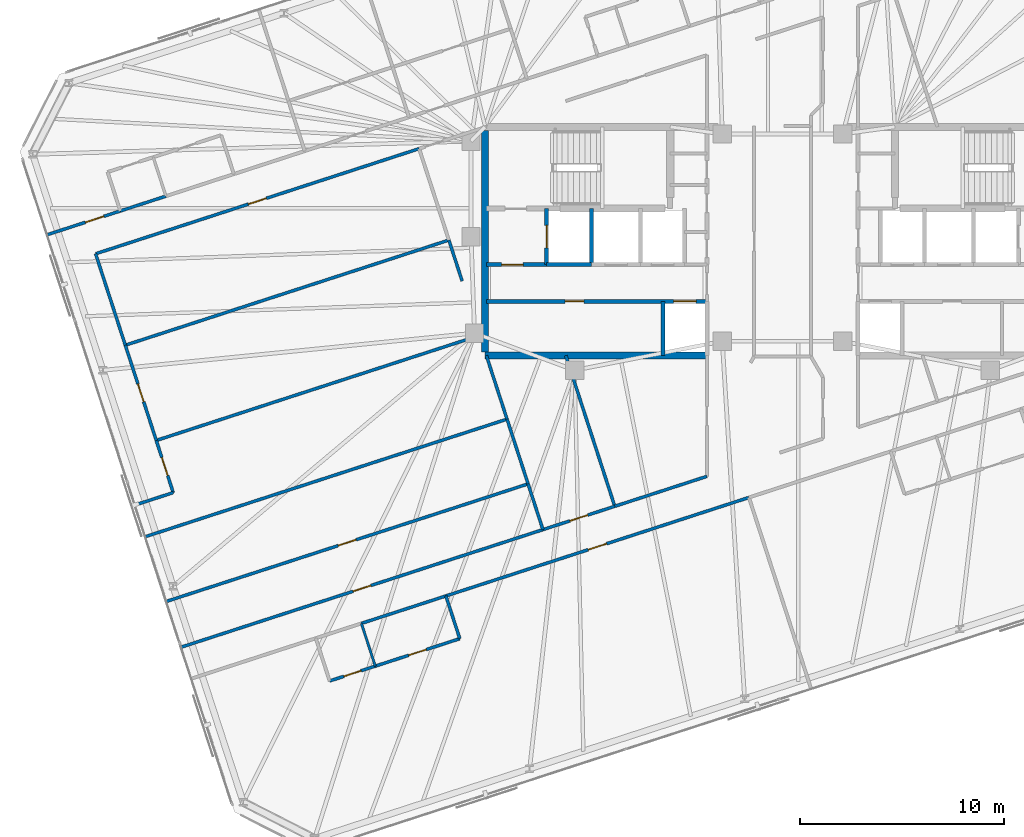
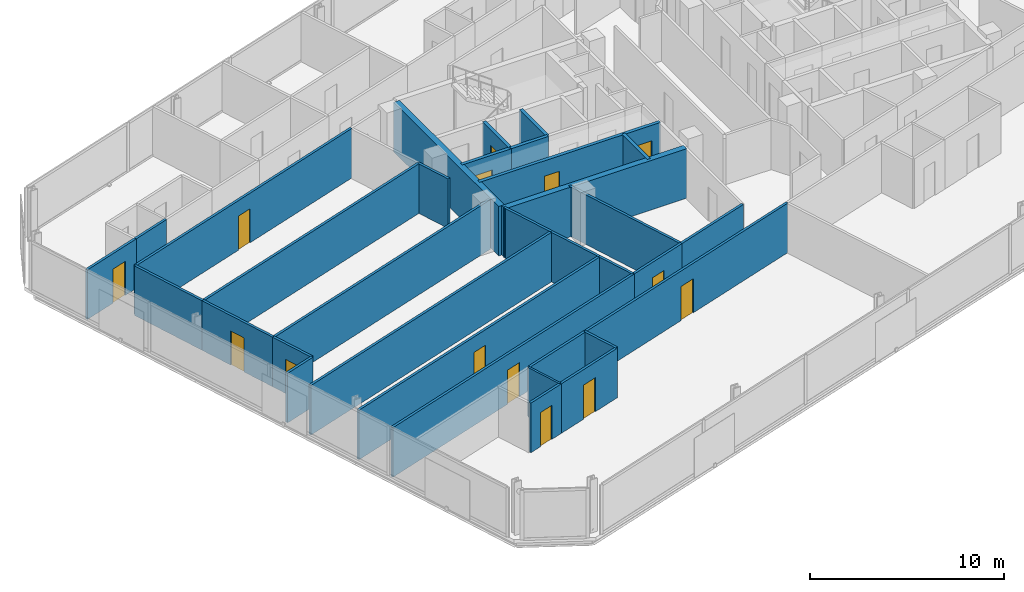
# One storey, part 13 of 19: 33 walls, 14 doors, 14 openings.
"""IFC4 building model written with IfcOpenShell, lengths in metres."""

import ifcopenshell
import ifcopenshell.guid

model = None  # the IFC model being written
_history = None  # IfcOwnerHistory: only IFC2X3 demands one
_inside = {}  # id of a spatial element -> (the spatial element, [elements in it])
_under = {}  # id of a project, library or spatial element -> (it, [spatial elements below it])
_declared = {}  # id of a project -> (the project, [libraries it declares])
_typed = {}  # id of a type object -> (the type object, [elements of that type])
_made_of = {}  # id of a material, layer set ... -> (it, [elements and type objects made of it])


def new_model(schema):
    """Start an empty IFC model of exactly this schema.

    Asked for "IFC4X3", IfcOpenShell would pick the latest addendum, in which some entities
    have other attributes; the version numbers below select the first issue.
    IFC2X3 requires an IfcOwnerHistory on every rooted entity: one is made here for all.
    """
    global model, _history
    if schema == "IFC4X3":
        model = ifcopenshell.file(schema_version=(4, 3, 0, 0))
    else:
        model = ifcopenshell.file(schema=schema)
    _inside.clear()
    _under.clear()
    _declared.clear()
    _typed.clear()
    _made_of.clear()
    _history = None
    if model.schema == "IFC2X3":
        org = make("IfcOrganization", Name="unknown")
        user = make(
            "IfcPersonAndOrganization",
            ThePerson=make("IfcPerson", FamilyName="unknown"),
            TheOrganization=org,
        )
        app = make(
            "IfcApplication",
            ApplicationDeveloper=org,
            Version="unknown",
            ApplicationFullName="unknown",
            ApplicationIdentifier="unknown",
        )
        _history = make(
            "IfcOwnerHistory",
            OwningUser=user,
            OwningApplication=app,
            ChangeAction="ADDED",
            CreationDate=0,
        )
    return model


def make(cls, **values):
    """One entity of the class cls with the attributes given. An attribute that is None is left unset."""
    return model.create_entity(
        cls, **{name: value for name, value in values.items() if value is not None}
    )


def rooted(cls, **values):
    """An entity with a GlobalId (a new one), such as an element, a storey or a relation."""
    return make(cls, GlobalId=ifcopenshell.guid.new(), OwnerHistory=_history, **values)


def si_unit(unit_type, name, prefix=None):
    """IfcSIUnit, for example si_unit("LENGTHUNIT", "METRE", prefix="MILLI")."""
    return make("IfcSIUnit", UnitType=unit_type, Prefix=prefix, Name=name)


def assignment(units):
    """IfcUnitAssignment: the units of a project."""
    return None if units is None else make("IfcUnitAssignment", Units=units)


def point(xyz):
    """IfcCartesianPoint."""
    return None if xyz is None else make("IfcCartesianPoint", Coordinates=xyz)


def direction(xyz):
    """IfcDirection."""
    return None if xyz is None else make("IfcDirection", DirectionRatios=xyz)


def frame(location, z_axis=None, x_axis=None):
    """IfcAxis2Placement3D, a coordinate frame: its origin and axes. An axis left out is left unset."""
    return make(
        "IfcAxis2Placement3D",
        Location=point(location),
        Axis=direction(z_axis),
        RefDirection=direction(x_axis),
    )


def frame_2d(location, x_axis=None):
    """IfcAxis2Placement2D, a coordinate frame in the plane: its origin and x axis."""
    return make(
        "IfcAxis2Placement2D", Location=point(location), RefDirection=direction(x_axis)
    )


def origin():
    """The frame at (0, 0, 0) with its axes left unset."""
    return frame((0.0, 0.0, 0.0))


def place(relative_to, where):
    """IfcLocalPlacement: puts the frame where relative to a parent placement (None: the world)."""
    return make(
        "IfcLocalPlacement", PlacementRelTo=relative_to, RelativePlacement=where
    )


def context(
    kind, dimensions, precision=None, world=None, true_north=None, identifier=None
):
    """IfcGeometricRepresentationContext, for example the 3D "Model" context."""
    return make(
        "IfcGeometricRepresentationContext",
        ContextIdentifier=identifier,
        ContextType=kind,
        CoordinateSpaceDimension=dimensions,
        Precision=precision,
        WorldCoordinateSystem=world,
        TrueNorth=true_north,
    )


def subcontext(parent, identifier, kind, view, scale=None):
    """IfcGeometricRepresentationSubContext, for example "Body" below "Model"."""
    return make(
        "IfcGeometricRepresentationSubContext",
        ContextIdentifier=identifier,
        ContextType=kind,
        ParentContext=parent,
        TargetScale=scale,
        TargetView=view,
    )


def project(units=None, contexts=None):
    """IfcProject with its units and contexts."""
    return rooted(
        "IfcProject",
        Name="project",
        RepresentationContexts=contexts,
        UnitsInContext=assignment(units),
    )


def spatial(cls, under=None, at=None, **own):
    """A site, building, storey or space (cls), placed at a placement, below another one or the project."""
    s = rooted(cls, ObjectPlacement=at, **own)
    if under is not None:
        _under.setdefault(under.id(), (under, []))[1].append(s)
    return s


def profile(cls, at=None, kind="AREA", **sizes):
    """A parametric profile (cls). Its sizes go by their IFC names, for example OverallWidth=200.0."""
    return make(cls, ProfileType=kind, Position=at, **sizes)


def rectangle(**sizes):
    """IfcRectangleProfileDef."""
    return profile("IfcRectangleProfileDef", **sizes)


def extrude(swept, where, along, depth):
    """IfcExtrudedAreaSolid: the profile swept, set in the frame where, extruded along a direction by depth."""
    return make(
        "IfcExtrudedAreaSolid",
        SweptArea=swept,
        Position=where,
        ExtrudedDirection=direction(along),
        Depth=depth,
    )


def shape(context_of_items, identifier, shape_type, items):
    """IfcShapeRepresentation: the items that make up one representation, for example the "Body"."""
    return make(
        "IfcShapeRepresentation",
        ContextOfItems=context_of_items,
        RepresentationIdentifier=identifier,
        RepresentationType=shape_type,
        Items=items,
    )


def material(Name=None, Category=None):
    """IfcMaterial."""
    return make("IfcMaterial", Name=Name, Category=Category)


def layer(
    of_material, thickness, ventilated=None, Name=None, Category=None, Priority=None
):
    """IfcMaterialLayer: one layer of a wall or slab, of a material (None: an air gap)."""
    return make(
        "IfcMaterialLayer",
        Material=of_material,
        LayerThickness=thickness,
        IsVentilated=ventilated,
        Name=Name,
        Category=Category,
        Priority=Priority,
    )


def layer_set(layers, Name=None):
    """IfcMaterialLayerSet."""
    return make("IfcMaterialLayerSet", MaterialLayers=layers, LayerSetName=Name)


def made_of(thing, what):
    """Note that an element or type object is made of a material, layer set ...; save() writes the relation."""
    if what is not None:
        _made_of.setdefault(what.id(), (what, []))[1].append(thing)
    return thing


def type_object(cls, material=None, **own):
    """A type object (cls), such as IfcWallType, which elements share."""
    return made_of(rooted(cls, **own), material)


def element(
    cls,
    number,
    at=None,
    inside=None,
    cuts=None,
    type_object=None,
    material=None,
    context=None,
    identifier="Body",
    shape_type=None,
    held_by="IfcProductDefinitionShape",
    body=None,
    shapes=None,
    **own,
):
    """One element of the class cls, such as IfcWall. Its Tag is "e" and its number.

    at: its placement. inside: the storey or other place that contains it. cuts: it is an
    opening in that element (IfcRelVoidsElement). A single representation is given by context,
    identifier, shape_type and body (its items); several are given by shapes. held_by: the class
    of the entity that holds the representations. save() writes the other relations.
    """
    e = rooted(cls, Tag="e%d" % number, ObjectPlacement=at, **own)
    if body is not None:
        shapes = [shape(context, identifier, shape_type, body)]
    if shapes is not None:
        e.Representation = make(held_by, Representations=shapes)
    if inside is not None:
        _inside.setdefault(inside.id(), (inside, []))[1].append(e)
    if cuts is not None:
        rooted(
            "IfcRelVoidsElement", RelatingBuildingElement=cuts, RelatedOpeningElement=e
        )
    if type_object is not None:
        _typed.setdefault(type_object.id(), (type_object, []))[1].append(e)
    return made_of(e, material)


def fill(opening, filler):
    """IfcRelFillsElement: the door or window that sits in an opening."""
    return rooted(
        "IfcRelFillsElement",
        RelatingOpeningElement=opening,
        RelatedBuildingElement=filler,
    )


def aggregate(whole, parts):
    """IfcRelAggregates: a whole, such as a stair, and the parts it consists of."""
    return rooted("IfcRelAggregates", RelatingObject=whole, RelatedObjects=parts)


def save(model, path):
    """Write the relations noted so far, then the file.

    IfcRelAggregates (storeys below a building ...), IfcRelContainedInSpatialStructure (elements
    in a storey), IfcRelDefinesByType, IfcRelAssociatesMaterial and IfcRelDeclares: one each for
    every whole, place, type object, material and project.
    """
    for whole, parts in _under.values():
        aggregate(whole, parts)
    for where, things in _inside.values():
        rooted(
            "IfcRelContainedInSpatialStructure",
            RelatedElements=things,
            RelatingStructure=where,
        )
    for kind, things in _typed.values():
        rooted("IfcRelDefinesByType", RelatedObjects=things, RelatingType=kind)
    for what, things in _made_of.values():
        rooted("IfcRelAssociatesMaterial", RelatedObjects=things, RelatingMaterial=what)
    for by, libraries in _declared.values():
        rooted("IfcRelDeclares", RelatingContext=by, RelatedDefinitions=libraries)
    model.write(path)


model = new_model("IFC4")

# Units and contexts
model_context = context("Model", 3, precision=1e-05, world=origin(), true_north=direction((0.0, 1.0)))
body_context = subcontext(model_context, "Body", "Model", "MODEL_VIEW")
ifc_project = project(units=[si_unit("LENGTHUNIT", "METRE"), si_unit("AREAUNIT", "SQUARE_METRE"), si_unit("VOLUMEUNIT", "CUBIC_METRE"), si_unit("PLANEANGLEUNIT", "RADIAN"), si_unit("MASSUNIT", "GRAM", prefix="KILO")], contexts=[model_context])

# Site, building, storey
site_placement = place(None, origin())
site = spatial("IfcSite", under=ifc_project, at=site_placement, CompositionType="ELEMENT")
building_placement = place(site_placement, origin())
building = spatial("IfcBuilding", under=site, at=building_placement, Name="Menara Jurai Vektor", CompositionType="ELEMENT")
storey_placement = place(building_placement, frame((0.0, 0.0, 210.89990234375)))
storey = spatial("IfcBuildingStorey", under=building, at=storey_placement, Name="L55", CompositionType="ELEMENT", Elevation=210.89990234375)

# Wall, opening, door
ifc_material_1 = material(Name="Concrete C40/50", Category="concrete")
ifc_layer_1 = layer(ifc_material_1, 0.25)
ifc_layer_set_1 = layer_set([ifc_layer_1], Name="Concrete C40/50")
wall_type_1 = type_object("IfcWallType", Name="INT-WALL-CORE-250", PredefinedType="STANDARD", material=ifc_layer_set_1)
wall_1_placement = place(storey_placement, frame((-11.550048828125, -1.14990234375, 0.0), z_axis=(0.0, 0.0, 1.0), x_axis=(0.0, 1.0, 0.0)))
wall_1 = element("IfcWall", 1, at=wall_1_placement, inside=storey, type_object=wall_type_1, Name="Interior Wall IW-250 L55", PredefinedType="STANDARD", context=body_context, shape_type="SweptSolid", body=[
    extrude(rectangle(XDim=2.75, YDim=0.199951171875, at=frame_2d((1.375, 0.0))), origin(), (0.0, 0.0, 1.0), 3.125),
])
opening_1_placement = place(wall_1_placement, frame((0.824951171875, 0.0, 0.0)))
opening_1 = element("IfcOpeningElement", 2, at=opening_1_placement, cuts=wall_1, Name="Opening LD-L55-FL1", PredefinedType="OPENING", context=body_context, shape_type="SweptSolid", body=[
    extrude(rectangle(XDim=1.10009765625, YDim=2.14990234375, at=frame_2d((0.550048828125, 1.074951171875))), frame((0.0, 0.10986328125, 0.0), z_axis=(0.0, -1.0, 0.0), x_axis=(1.0, 0.0, 0.0)), (0.0, 0.0, 1.0), 0.219970703125),
])
ifc_material_2 = material(Name="Stainless Steel Sliding Lift Landing Door", Category="steel")
door_type_1 = type_object("IfcDoorType", Name="DR-LIFT-FIRE-1100", OperationType="NOTDEFINED", PredefinedType="DOOR", material=ifc_material_2)
door_1_placement = place(opening_1_placement, origin())
door_1 = element("IfcDoor", 3, at=door_1_placement, inside=storey, type_object=door_type_1, Name="Lift Landing Door FL1 L55", OperationType="SLIDING_TO_RIGHT", OverallHeight=2.14990234375, OverallWidth=1.10009765625, PredefinedType="DOOR", context=body_context, shape_type="SweptSolid", body=[
    extrude(rectangle(XDim=1.10009765625, YDim=2.14990234375, at=frame_2d((0.550048828125, 1.074951171875))), frame((0.0, 0.02490234375, 0.0), z_axis=(0.0, -1.0, 0.0), x_axis=(1.0, 0.0, 0.0)), (0.0, 0.0, 1.0), 0.050048828125),
])
fill(opening_1, door_1)

# Wall
wall_2_placement = place(storey_placement, frame((-9.35009765625, -1.14990234375, 0.0), z_axis=(0.0, 0.0, 1.0), x_axis=(0.0, 1.0, 0.0)))
element("IfcWall", 4, at=wall_2_placement, inside=storey, type_object=wall_type_1, Name="Interior Wall IW-250 L55", PredefinedType="STANDARD", context=body_context, shape_type="SweptSolid", body=[
    extrude(rectangle(XDim=2.75, YDim=0.199951171875, at=frame_2d((1.375, 0.0))), origin(), (0.0, 0.0, 1.0), 3.125),
])

# Wall, opening, door
wall_3_placement = place(storey_placement, frame((-14.5, -1.14990234375, 0.0), z_axis=(0.0, 0.0, 1.0), x_axis=(1.0, 0.0, 0.0)))
wall_3 = element("IfcWall", 5, at=wall_3_placement, inside=storey, type_object=wall_type_1, Name="Interior Wall IW-250 L55", PredefinedType="STANDARD", context=body_context, shape_type="SweptSolid", body=[
    extrude(rectangle(XDim=2.949951171875, YDim=0.199951171875, at=frame_2d((1.47509765625, 0.0))), origin(), (0.0, 0.0, 1.0), 3.125),
])
opening_2_placement = place(wall_3_placement, frame((0.75, 0.0, 0.0)))
opening_2 = element("IfcOpeningElement", 6, at=opening_2_placement, cuts=wall_3, Name="Opening D-L55-FFW", PredefinedType="OPENING", context=body_context, shape_type="SweptSolid", body=[
    extrude(rectangle(XDim=1.050048828125, YDim=2.179931640625, at=frame_2d((0.52490234375, 1.08984375))), frame((0.0, 0.10986328125, 0.0), z_axis=(0.0, -1.0, 0.0), x_axis=(1.0, 0.0, 0.0)), (0.0, 0.0, 1.0), 0.219970703125),
])
ifc_material_3 = material(Name="Fire-Rated Timber Door", Category="wood")
door_type_2 = type_object("IfcDoorType", Name="DR-LOBBY-1050", OperationType="NOTDEFINED", PredefinedType="DOOR", material=ifc_material_3)
door_2_placement = place(opening_2_placement, origin())
door_2 = element("IfcDoor", 7, at=door_2_placement, inside=storey, type_object=door_type_2, Name="Fire Lift Lobby Door W L55", OperationType="SINGLE_SWING_RIGHT", OverallHeight=2.179931640625, OverallWidth=1.050048828125, PredefinedType="DOOR", context=body_context, shape_type="SweptSolid", body=[
    extrude(rectangle(XDim=1.050048828125, YDim=2.179931640625, at=frame_2d((0.52490234375, 1.08984375))), frame((0.0, 0.02490234375, 0.0), z_axis=(0.0, -1.0, 0.0), x_axis=(1.0, 0.0, 0.0)), (0.0, 0.0, 1.0), 0.050048828125),
])
fill(opening_2, door_2)

# Wall
wall_4_placement = place(storey_placement, frame((-11.550048828125, -1.14990234375, 0.0), z_axis=(0.0, 0.0, 1.0), x_axis=(1.0, 0.0, 0.0)))
element("IfcWall", 8, at=wall_4_placement, inside=storey, type_object=wall_type_1, Name="Interior Wall IW-250 L55", PredefinedType="STANDARD", context=body_context, shape_type="SweptSolid", body=[
    extrude(rectangle(XDim=2.199951171875, YDim=0.199951171875, at=frame_2d((1.10009765625, 0.0))), origin(), (0.0, 0.0, 1.0), 3.125),
])

# Wall, opening, door
ifc_material_4 = material(Name="Gypsum Fireboard Partition", Category="gypsum")
ifc_layer_2 = layer(ifc_material_4, 0.14990234375)
ifc_layer_set_2 = layer_set([ifc_layer_2], Name="Gypsum Fireboard Partition")
wall_type_2 = type_object("IfcWallType", Name="INT-WALL-CORR-150", PredefinedType="PARTITIONING", material=ifc_layer_set_2)
wall_5_placement = place(storey_placement, frame((-36.01220703125, 0.314208984375, 0.0), z_axis=(0.0, 0.0, 1.0), x_axis=(0.951071182868, 0.308971851659, 0.0)))
wall_5 = element("IfcWall", 9, at=wall_5_placement, inside=storey, type_object=wall_type_2, Name="Interior Wall IW-150 L55", PredefinedType="PARTITIONING", context=body_context, shape_type="SweptSolid", body=[
    extrude(rectangle(XDim=3.77001953125, YDim=0.14990234375, at=frame_2d((1.885009765625, 0.0))), origin(), (0.0, 0.0, 1.0), 3.125),
])
opening_3_placement = place(wall_5_placement, frame((1.9755859375, 0.0, 0.0)))
opening_3 = element("IfcOpeningElement", 10, at=opening_3_placement, cuts=wall_5, Name="Opening D55-10", PredefinedType="OPENING", context=body_context, shape_type="SweptSolid", body=[
    extrude(rectangle(XDim=0.949951171875, YDim=2.14990234375, at=frame_2d((0.47509765625, 1.074951171875))), frame((0.0, 0.0849609375, 0.0), z_axis=(0.0, -1.0, 0.0), x_axis=(1.0, 0.0, 0.0)), (0.0, 0.0, 1.0), 0.169921875),
])
ifc_material_5 = material(Name="Solid Core Timber Fire Door", Category="wood")
door_type_3 = type_object("IfcDoorType", Name="DR-ENTRY-950", OperationType="NOTDEFINED", PredefinedType="DOOR", material=ifc_material_5)
door_3_placement = place(opening_3_placement, origin())
door_3 = element("IfcDoor", 11, at=door_3_placement, inside=storey, type_object=door_type_3, Name="Interior Door D55-10", OperationType="SINGLE_SWING_RIGHT", OverallHeight=2.14990234375, OverallWidth=0.949951171875, PredefinedType="DOOR", context=body_context, shape_type="SweptSolid", body=[
    extrude(rectangle(XDim=0.949951171875, YDim=2.14990234375, at=frame_2d((0.47509765625, 1.074951171875))), frame((0.0, 0.02490234375, 0.0), z_axis=(0.0, -1.0, 0.0), x_axis=(1.0, 0.0, 0.0)), (0.0, 0.0, 1.0), 0.050048828125),
])
fill(opening_3, door_3)

# Wall
wall_6_placement = place(storey_placement, frame((-32.4267578125, 1.47900390625, 0.0), z_axis=(0.0, 0.0, 1.0), x_axis=(0.951045519245, 0.309050837767, 0.0)))
element("IfcWall", 12, at=wall_6_placement, inside=storey, type_object=wall_type_2, Name="Interior Wall IW-150 L55", PredefinedType="PARTITIONING", context=body_context, shape_type="SweptSolid", body=[
    extrude(rectangle(XDim=2.35009765625, YDim=0.14990234375, at=frame_2d((1.175048828125, 0.0))), origin(), (0.0, 0.0, 1.0), 3.125),
])

# Wall, opening, door
wall_7_placement = place(storey_placement, frame((-16.481689453125, -17.3701171875, 0.0), z_axis=(0.0, 0.0, 1.0), x_axis=(0.9510563751, 0.309017428929, 0.0)))
wall_7 = element("IfcWall", 13, at=wall_7_placement, inside=storey, type_object=wall_type_2, Name="Interior Wall IW-150 L55", PredefinedType="PARTITIONING", context=body_context, shape_type="SweptSolid", body=[
    extrude(rectangle(XDim=15.60205078125, YDim=0.14990234375, at=frame_2d((7.801025390625, 0.0))), origin(), (0.0, 0.0, 1.0), 3.125),
])
opening_4_placement = place(wall_7_placement, frame((7.325927734375, 0.0, 0.0)))
opening_4 = element("IfcOpeningElement", 14, at=opening_4_placement, cuts=wall_7, Name="Opening D55-19", PredefinedType="OPENING", context=body_context, shape_type="SweptSolid", body=[
    extrude(rectangle(XDim=0.949951171875, YDim=2.14990234375, at=frame_2d((0.47509765625, 1.074951171875))), frame((0.0, 0.0849609375, 0.0), z_axis=(0.0, -1.0, 0.0), x_axis=(1.0, 0.0, 0.0)), (0.0, 0.0, 1.0), 0.169921875),
])
door_4_placement = place(opening_4_placement, origin())
door_4 = element("IfcDoor", 15, at=door_4_placement, inside=storey, type_object=door_type_3, Name="Interior Door D55-19", OperationType="SINGLE_SWING_LEFT", OverallHeight=2.14990234375, OverallWidth=0.949951171875, PredefinedType="DOOR", context=body_context, shape_type="SweptSolid", body=[
    extrude(rectangle(XDim=0.949951171875, YDim=2.14990234375, at=frame_2d((0.47509765625, 1.074951171875))), frame((0.0, 0.02490234375, 0.0), z_axis=(0.0, -1.0, 0.0), x_axis=(1.0, 0.0, 0.0)), (0.0, 0.0, 1.0), 0.050048828125),
])
fill(opening_4, door_4)

# Wall
wall_8_placement = place(storey_placement, frame((-20.61865234375, -18.71435546875, 0.0), z_axis=(0.0, 0.0, 1.0), x_axis=(0.951052627573, 0.309028962374, 0.0)))
element("IfcWall", 16, at=wall_8_placement, inside=storey, type_object=wall_type_2, Name="Interior Wall IW-150 L55", PredefinedType="PARTITIONING", context=body_context, shape_type="SweptSolid", body=[
    extrude(rectangle(XDim=4.349853515625, YDim=0.14990234375, at=frame_2d((2.1748046875, 0.0))), origin(), (0.0, 0.0, 1.0), 3.125),
])

# Wall, opening, door
wall_9_placement = place(storey_placement, frame((-29.450439453125, -19.880615234375, 0.0), z_axis=(0.0, 0.0, 1.0), x_axis=(0.95105650271, 0.309017036186, 0.0)))
wall_9 = element("IfcWall", 17, at=wall_9_placement, inside=storey, type_object=wall_type_2, Name="Interior Wall IW-150 L55", PredefinedType="PARTITIONING", context=body_context, shape_type="SweptSolid", body=[
    extrude(rectangle(XDim=18.6318359375, YDim=0.14990234375, at=frame_2d((9.31591796875, 0.0))), origin(), (0.0, 0.0, 1.0), 3.125),
])
opening_5_placement = place(wall_9_placement, frame((8.85595703125, 0.0, 0.0)))
opening_5 = element("IfcOpeningElement", 18, at=opening_5_placement, cuts=wall_9, Name="Opening D55-25", PredefinedType="OPENING", context=body_context, shape_type="SweptSolid", body=[
    extrude(rectangle(XDim=0.919921875, YDim=2.14990234375, at=frame_2d((0.4599609375, 1.074951171875))), frame((0.0, 0.0849609375, 0.0), z_axis=(0.0, -1.0, 0.0), x_axis=(1.0, 0.0, 0.0)), (0.0, 0.0, 1.0), 0.169921875),
])
door_5_placement = place(opening_5_placement, origin())
door_5 = element("IfcDoor", 19, at=door_5_placement, inside=storey, type_object=door_type_3, Name="Interior Door D55-25", OperationType="SINGLE_SWING_LEFT", OverallHeight=2.14990234375, OverallWidth=0.919921875, PredefinedType="DOOR", context=body_context, shape_type="SweptSolid", body=[
    extrude(rectangle(XDim=0.919921875, YDim=2.14990234375, at=frame_2d((0.4599609375, 1.074951171875))), frame((0.0, 0.02490234375, 0.0), z_axis=(0.0, -1.0, 0.0), x_axis=(1.0, 0.0, 0.0)), (0.0, 0.0, 1.0), 0.050048828125),
])
fill(opening_5, door_5)

# Wall
wall_10_placement = place(storey_placement, frame((-31.7119140625, -12.9208984375, 0.0), z_axis=(0.0, 0.0, 1.0), x_axis=(0.951054051148, 0.309024581215, 0.0)))
element("IfcWall", 20, at=wall_10_placement, inside=storey, type_object=wall_type_2, Name="Interior Wall IW-150 L55", PredefinedType="PARTITIONING", context=body_context, shape_type="SweptSolid", body=[
    extrude(rectangle(XDim=1.97509765625, YDim=0.14990234375, at=frame_2d((0.987548828125, 0.0))), origin(), (0.0, 0.0, 1.0), 3.125),
])

# Wall, opening, door
wall_11_placement = place(storey_placement, frame((-29.83349609375, -12.310546875, 0.0), z_axis=(0.0, 0.0, 1.0), x_axis=(-0.309044953986, 0.951047431213, 0.0)))
wall_11 = element("IfcWall", 21, at=wall_11_placement, inside=storey, type_object=wall_type_2, Name="Interior Wall IW-150 L55", PredefinedType="PARTITIONING", context=body_context, shape_type="SweptSolid", body=[
    extrude(rectangle(XDim=2.68505859375, YDim=0.14990234375, at=frame_2d((1.342529296875, 0.0))), origin(), (0.0, 0.0, 1.0), 3.125),
])
opening_6_placement = place(wall_11_placement, frame((0.882568359375, 0.0, 0.0)))
opening_6 = element("IfcOpeningElement", 22, at=opening_6_placement, cuts=wall_11, Name="Opening D55-27", PredefinedType="OPENING", context=body_context, shape_type="SweptSolid", body=[
    extrude(rectangle(XDim=0.919921875, YDim=2.14990234375, at=frame_2d((0.4599609375, 1.074951171875))), frame((0.0, 0.0849609375, 0.0), z_axis=(0.0, -1.0, 0.0), x_axis=(1.0, 0.0, 0.0)), (0.0, 0.0, 1.0), 0.169921875),
])
door_6_placement = place(opening_6_placement, origin())
door_6 = element("IfcDoor", 23, at=door_6_placement, inside=storey, type_object=door_type_3, Name="Interior Door D55-27", OperationType="SINGLE_SWING_LEFT", OverallHeight=2.14990234375, OverallWidth=0.919921875, PredefinedType="DOOR", context=body_context, shape_type="SweptSolid", body=[
    extrude(rectangle(XDim=0.919921875, YDim=2.14990234375, at=frame_2d((0.4599609375, 1.074951171875))), frame((0.0, 0.02490234375, 0.0), z_axis=(0.0, -1.0, 0.0), x_axis=(1.0, 0.0, 0.0)), (0.0, 0.0, 1.0), 0.050048828125),
])
fill(opening_6, door_6)

wall_12_placement = place(storey_placement, frame((-30.663330078125, -9.7568359375, 0.0), z_axis=(0.0, 0.0, 1.0), x_axis=(-0.309019653166, 0.951055652397, 0.0)))
wall_12 = element("IfcWall", 24, at=wall_12_placement, inside=storey, type_object=wall_type_2, Name="Interior Wall IW-150 L55", PredefinedType="PARTITIONING", context=body_context, shape_type="SweptSolid", body=[
    extrude(rectangle(XDim=4.90380859375, YDim=0.14990234375, at=frame_2d((2.451904296875, 0.0))), origin(), (0.0, 0.0, 1.0), 3.125),
])
opening_7_placement = place(wall_12_placement, frame((1.991943359375, 0.0, 0.0)))
opening_7 = element("IfcOpeningElement", 25, at=opening_7_placement, cuts=wall_12, Name="Opening D55-28", PredefinedType="OPENING", context=body_context, shape_type="SweptSolid", body=[
    extrude(rectangle(XDim=0.919921875, YDim=2.14990234375, at=frame_2d((0.4599609375, 1.074951171875))), frame((0.0, 0.0849609375, 0.0), z_axis=(0.0, -1.0, 0.0), x_axis=(1.0, 0.0, 0.0)), (0.0, 0.0, 1.0), 0.169921875),
])
door_7_placement = place(opening_7_placement, origin())
door_7 = element("IfcDoor", 26, at=door_7_placement, inside=storey, type_object=door_type_3, Name="Interior Door D55-28", OperationType="SINGLE_SWING_RIGHT", OverallHeight=2.14990234375, OverallWidth=0.919921875, PredefinedType="DOOR", context=body_context, shape_type="SweptSolid", body=[
    extrude(rectangle(XDim=0.919921875, YDim=2.14990234375, at=frame_2d((0.4599609375, 1.074951171875))), frame((0.0, 0.02490234375, 0.0), z_axis=(0.0, -1.0, 0.0), x_axis=(1.0, 0.0, 0.0)), (0.0, 0.0, 1.0), 0.050048828125),
])
fill(opening_7, door_7)

# Wall
wall_13_placement = place(storey_placement, frame((-32.1787109375, -5.093017578125, 0.0), z_axis=(0.0, 0.0, 1.0), x_axis=(-0.309014532869, 0.951057316083, 0.0)))
element("IfcWall", 27, at=wall_13_placement, inside=storey, type_object=wall_type_2, Name="Interior Wall IW-150 L55", PredefinedType="PARTITIONING", context=body_context, shape_type="SweptSolid", body=[
    extrude(rectangle(XDim=4.707275390625, YDim=0.14990234375, at=frame_2d((2.353515625, 0.0))), origin(), (0.0, 0.0, 1.0), 3.125),
])

# Wall, opening, door
wall_14_placement = place(storey_placement, frame((-33.63330078125, -0.6162109375, 0.0), z_axis=(0.0, 0.0, 1.0), x_axis=(0.951058192995, 0.309011833974, 0.0)))
wall_14 = element("IfcWall", 28, at=wall_14_placement, inside=storey, type_object=wall_type_2, Name="Interior Wall IW-150 L55", PredefinedType="PARTITIONING", context=body_context, shape_type="SweptSolid", body=[
    extrude(rectangle(XDim=16.656982421875, YDim=0.14990234375, at=frame_2d((8.32861328125, 0.0))), origin(), (0.0, 0.0, 1.0), 3.125),
])
opening_8_placement = place(wall_14_placement, frame((7.868408203125, 0.0, 0.0)))
opening_8 = element("IfcOpeningElement", 29, at=opening_8_placement, cuts=wall_14, Name="Opening D55-29", PredefinedType="OPENING", context=body_context, shape_type="SweptSolid", body=[
    extrude(rectangle(XDim=0.919921875, YDim=2.14990234375, at=frame_2d((0.4599609375, 1.074951171875))), frame((0.0, 0.0849609375, 0.0), z_axis=(0.0, -1.0, 0.0), x_axis=(1.0, 0.0, 0.0)), (0.0, 0.0, 1.0), 0.169921875),
])
door_8_placement = place(opening_8_placement, origin())
door_8 = element("IfcDoor", 30, at=door_8_placement, inside=storey, type_object=door_type_3, Name="Interior Door D55-29", OperationType="SINGLE_SWING_LEFT", OverallHeight=2.14990234375, OverallWidth=0.919921875, PredefinedType="DOOR", context=body_context, shape_type="SweptSolid", body=[
    extrude(rectangle(XDim=0.919921875, YDim=2.14990234375, at=frame_2d((0.4599609375, 1.074951171875))), frame((0.0, 0.02490234375, 0.0), z_axis=(0.0, -1.0, 0.0), x_axis=(1.0, 0.0, 0.0)), (0.0, 0.0, 1.0), 0.050048828125),
])
fill(opening_8, door_8)

wall_15_placement = place(storey_placement, frame((-11.73046875, -14.123046875, 0.0), z_axis=(0.0, 0.0, 1.0), x_axis=(0.951052502763, 0.309029346483, 0.0)))
wall_15 = element("IfcWall", 31, at=wall_15_placement, inside=storey, type_object=wall_type_2, Name="Interior Wall IW-150 L55", PredefinedType="PARTITIONING", context=body_context, shape_type="SweptSolid", body=[
    extrude(rectangle(XDim=3.697998046875, YDim=0.14990234375, at=frame_2d((1.84912109375, 0.0))), origin(), (0.0, 0.0, 1.0), 3.125),
])
opening_9_placement = place(wall_15_placement, frame((1.388916015625, 0.0, 0.0)))
opening_9 = element("IfcOpeningElement", 32, at=opening_9_placement, cuts=wall_15, Name="Opening D55-36", PredefinedType="OPENING", context=body_context, shape_type="SweptSolid", body=[
    extrude(rectangle(XDim=0.919921875, YDim=2.14990234375, at=frame_2d((0.4599609375, 1.074951171875))), frame((0.0, 0.0849609375, 0.0), z_axis=(0.0, -1.0, 0.0), x_axis=(1.0, 0.0, 0.0)), (0.0, 0.0, 1.0), 0.169921875),
])
door_9_placement = place(opening_9_placement, origin())
door_9 = element("IfcDoor", 33, at=door_9_placement, inside=storey, type_object=door_type_3, Name="Interior Door D55-36", OperationType="SINGLE_SWING_RIGHT", OverallHeight=2.14990234375, OverallWidth=0.919921875, PredefinedType="DOOR", context=body_context, shape_type="SweptSolid", body=[
    extrude(rectangle(XDim=0.919921875, YDim=2.14990234375, at=frame_2d((0.4599609375, 1.074951171875))), frame((0.0, 0.02490234375, 0.0), z_axis=(0.0, -1.0, 0.0), x_axis=(1.0, 0.0, 0.0)), (0.0, 0.0, 1.0), 0.050048828125),
])
fill(opening_9, door_9)

# Wall
wall_16_placement = place(storey_placement, frame((-8.21337890625, -12.980224609375, 0.0), z_axis=(0.0, 0.0, 1.0), x_axis=(0.951058260096, 0.309011627456, 0.0)))
element("IfcWall", 34, at=wall_16_placement, inside=storey, type_object=wall_type_2, Name="Interior Wall IW-150 L55", PredefinedType="PARTITIONING", context=body_context, shape_type="SweptSolid", body=[
    extrude(rectangle(XDim=4.745849609375, YDim=0.14990234375, at=frame_2d((2.373046875, 0.0))), origin(), (0.0, 0.0, 1.0), 3.125),
])

# Wall, opening, door
wall_17_placement = place(storey_placement, frame((-22.173828125, -21.532958984375, 0.0), z_axis=(0.0, 0.0, 1.0), x_axis=(0.951045519245, 0.309050837767, 0.0)))
wall_17 = element("IfcWall", 35, at=wall_17_placement, inside=storey, type_object=wall_type_2, Name="Interior Wall IW-150 L55", PredefinedType="PARTITIONING", context=body_context, shape_type="SweptSolid", body=[
    extrude(rectangle(XDim=2.35009765625, YDim=0.14990234375, at=frame_2d((1.175048828125, 0.0))), origin(), (0.0, 0.0, 1.0), 3.125),
])
opening_10_placement = place(wall_17_placement, frame((0.735107421875, 0.0, 0.0)))
opening_10 = element("IfcOpeningElement", 36, at=opening_10_placement, cuts=wall_17, Name="Opening D55-20", PredefinedType="OPENING", context=body_context, shape_type="SweptSolid", body=[
    extrude(rectangle(XDim=0.8798828125, YDim=2.14990234375, at=frame_2d((0.43994140625, 1.074951171875))), frame((0.0, 0.0849609375, 0.0), z_axis=(0.0, -1.0, 0.0), x_axis=(1.0, 0.0, 0.0)), (0.0, 0.0, 1.0), 0.169921875),
])
ifc_material_6 = material(Name="Moisture-Resistant Timber Door", Category="wood")
door_type_4 = type_object("IfcDoorType", Name="DR-BATH-880", OperationType="NOTDEFINED", PredefinedType="DOOR", material=ifc_material_6)
door_10_placement = place(opening_10_placement, origin())
door_10 = element("IfcDoor", 37, at=door_10_placement, inside=storey, type_object=door_type_4, Name="Interior Door D55-20", OperationType="SINGLE_SWING_RIGHT", OverallHeight=2.14990234375, OverallWidth=0.8798828125, PredefinedType="DOOR", context=body_context, shape_type="SweptSolid", body=[
    extrude(rectangle(XDim=0.8798828125, YDim=2.14990234375, at=frame_2d((0.43994140625, 1.074951171875))), frame((0.0, 0.02490234375, 0.0), z_axis=(0.0, -1.0, 0.0), x_axis=(1.0, 0.0, 0.0)), (0.0, 0.0, 1.0), 0.050048828125),
])
fill(opening_10, door_10)

wall_18_placement = place(storey_placement, frame((-19.938720703125, -20.806640625, 0.0), z_axis=(0.0, 0.0, 1.0), x_axis=(0.951052627573, 0.309028962374, 0.0)))
wall_18 = element("IfcWall", 38, at=wall_18_placement, inside=storey, type_object=wall_type_2, Name="Interior Wall IW-150 L55", PredefinedType="PARTITIONING", context=body_context, shape_type="SweptSolid", body=[
    extrude(rectangle(XDim=4.349853515625, YDim=0.14990234375, at=frame_2d((2.1748046875, 0.0))), origin(), (0.0, 0.0, 1.0), 3.125),
])
opening_11_placement = place(wall_18_placement, frame((1.72509765625, 0.0, 0.0)))
opening_11 = element("IfcOpeningElement", 39, at=opening_11_placement, cuts=wall_18, Name="Opening D55-21", PredefinedType="OPENING", context=body_context, shape_type="SweptSolid", body=[
    extrude(rectangle(XDim=0.89990234375, YDim=2.14990234375, at=frame_2d((0.449951171875, 1.074951171875))), frame((0.0, 0.0849609375, 0.0), z_axis=(0.0, -1.0, 0.0), x_axis=(1.0, 0.0, 0.0)), (0.0, 0.0, 1.0), 0.169921875),
])
ifc_material_7 = material(Name="Acoustic Timber Interior Door", Category="wood")
door_type_5 = type_object("IfcDoorType", Name="DR-ROOM-900", OperationType="NOTDEFINED", PredefinedType="DOOR", material=ifc_material_7)
door_11_placement = place(opening_11_placement, origin())
door_11 = element("IfcDoor", 40, at=door_11_placement, inside=storey, type_object=door_type_5, Name="Interior Door D55-21", OperationType="SINGLE_SWING_LEFT", OverallHeight=2.14990234375, OverallWidth=0.89990234375, PredefinedType="DOOR", context=body_context, shape_type="SweptSolid", body=[
    extrude(rectangle(XDim=0.89990234375, YDim=2.14990234375, at=frame_2d((0.449951171875, 1.074951171875))), frame((0.0, 0.02490234375, 0.0), z_axis=(0.0, -1.0, 0.0), x_axis=(1.0, 0.0, 0.0)), (0.0, 0.0, 1.0), 0.050048828125),
])
fill(opening_11, door_11)

# Wall
wall_19_placement = place(storey_placement, frame((-15.8017578125, -19.46240234375, 0.0), z_axis=(0.0, 0.0, 1.0), x_axis=(-0.309060979314, 0.951042223598, 0.0)))
element("IfcWall", 41, at=wall_19_placement, inside=storey, type_object=wall_type_2, Name="Interior Wall IW-150 L55", PredefinedType="PARTITIONING", context=body_context, shape_type="SweptSolid", body=[
    extrude(rectangle(XDim=2.199951171875, YDim=0.14990234375, at=frame_2d((1.10009765625, 0.0))), origin(), (0.0, 0.0, 1.0), 3.125),
])

# Wall, opening, door
wall_20_placement = place(storey_placement, frame((-30.177978515625, -17.641845703125, 0.0), z_axis=(0.0, 0.0, 1.0), x_axis=(0.95105650271, 0.309017036186, 0.0)))
wall_20 = element("IfcWall", 42, at=wall_20_placement, inside=storey, type_object=wall_type_2, Name="Interior Wall IW-150 L55", PredefinedType="PARTITIONING", context=body_context, shape_type="SweptSolid", body=[
    extrude(rectangle(XDim=18.6318359375, YDim=0.14990234375, at=frame_2d((9.31591796875, 0.0))), origin(), (0.0, 0.0, 1.0), 3.125),
])
opening_12_placement = place(wall_20_placement, frame((8.85595703125, 0.0, 0.0)))
opening_12 = element("IfcOpeningElement", 43, at=opening_12_placement, cuts=wall_20, Name="Opening D55-26", PredefinedType="OPENING", context=body_context, shape_type="SweptSolid", body=[
    extrude(rectangle(XDim=0.919921875, YDim=2.14990234375, at=frame_2d((0.4599609375, 1.074951171875))), frame((0.0, 0.0849609375, 0.0), z_axis=(0.0, -1.0, 0.0), x_axis=(1.0, 0.0, 0.0)), (0.0, 0.0, 1.0), 0.169921875),
])
door_12_placement = place(opening_12_placement, origin())
door_12 = element("IfcDoor", 44, at=door_12_placement, inside=storey, type_object=door_type_3, Name="Interior Door D55-26", OperationType="SINGLE_SWING_RIGHT", OverallHeight=2.14990234375, OverallWidth=0.919921875, PredefinedType="DOOR", context=body_context, shape_type="SweptSolid", body=[
    extrude(rectangle(XDim=0.919921875, YDim=2.14990234375, at=frame_2d((0.4599609375, 1.074951171875))), frame((0.0, 0.02490234375, 0.0), z_axis=(0.0, -1.0, 0.0), x_axis=(1.0, 0.0, 0.0)), (0.0, 0.0, 1.0), 0.050048828125),
])
fill(opening_12, door_12)

# Walls
wall_21_placement = place(storey_placement, frame((-11.73046875, -14.123046875, 0.0), z_axis=(0.0, 0.0, 1.0), x_axis=(-0.309062621189, 0.951041690035, 0.0)))
element("IfcWall", 45, at=wall_21_placement, inside=storey, type_object=wall_type_2, Name="Interior Wall IW-150 L55", PredefinedType="PARTITIONING", context=body_context, shape_type="SweptSolid", body=[
    extrude(rectangle(XDim=2.35400390625, YDim=0.14990234375, at=frame_2d((1.177001953125, 0.0))), origin(), (0.0, 0.0, 1.0), 3.125),
])
wall_22_placement = place(storey_placement, frame((-31.208251953125, -14.470947265625, 0.0), z_axis=(0.0, 0.0, 1.0), x_axis=(0.951057753948, 0.309013185244, 0.0)))
element("IfcWall", 46, at=wall_22_placement, inside=storey, type_object=wall_type_2, Name="Interior Wall IW-150 L55", PredefinedType="PARTITIONING", context=body_context, shape_type="SweptSolid", body=[
    extrude(rectangle(XDim=18.632080078125, YDim=0.14990234375, at=frame_2d((9.31591796875, 0.0))), origin(), (0.0, 0.0, 1.0), 3.125),
])
wall_23_placement = place(storey_placement, frame((-12.4580078125, -11.88427734375, 0.0), z_axis=(0.0, 0.0, 1.0), x_axis=(-0.308946982245, 0.951079261766, 0.0)))
element("IfcWall", 47, at=wall_23_placement, inside=storey, type_object=wall_type_2, Name="Interior Wall IW-150 L55", PredefinedType="PARTITIONING", context=body_context, shape_type="SweptSolid", body=[
    extrude(rectangle(XDim=3.333984375, YDim=0.14990234375, at=frame_2d((1.6669921875, 0.0))), origin(), (0.0, 0.0, 1.0), 3.125),
])
wall_24_placement = place(storey_placement, frame((-30.663330078125, -9.7568359375, 0.0), z_axis=(0.0, 0.0, 1.0), x_axis=(0.951058192995, 0.309011833974, 0.0)))
element("IfcWall", 48, at=wall_24_placement, inside=storey, type_object=wall_type_2, Name="Interior Wall IW-150 L55", PredefinedType="PARTITIONING", context=body_context, shape_type="SweptSolid", body=[
    extrude(rectangle(XDim=16.656982421875, YDim=0.14990234375, at=frame_2d((8.32861328125, 0.0))), origin(), (0.0, 0.0, 1.0), 3.125),
])
wall_25_placement = place(storey_placement, frame((-13.488037109375, -8.71337890625, 0.0), z_axis=(0.0, 0.0, 1.0), x_axis=(-0.309082700143, 0.951035164687, 0.0)))
element("IfcWall", 49, at=wall_25_placement, inside=storey, type_object=wall_type_2, Name="Interior Wall IW-150 L55", PredefinedType="PARTITIONING", context=body_context, shape_type="SweptSolid", body=[
    extrude(rectangle(XDim=3.274169921875, YDim=0.14990234375, at=frame_2d((1.63720703125, 0.0))), origin(), (0.0, 0.0, 1.0), 3.125),
])
wall_26_placement = place(storey_placement, frame((-32.1787109375, -5.093017578125, 0.0), z_axis=(0.0, 0.0, 1.0), x_axis=(0.951053885426, 0.309025091239, 0.0)))
element("IfcWall", 50, at=wall_26_placement, inside=storey, type_object=wall_type_2, Name="Interior Wall IW-150 L55", PredefinedType="PARTITIONING", context=body_context, shape_type="SweptSolid", body=[
    extrude(rectangle(XDim=16.656982421875, YDim=0.14990234375, at=frame_2d((8.32861328125, 0.0))), origin(), (0.0, 0.0, 1.0), 3.125),
])
wall_27_placement = place(storey_placement, frame((-15.68505859375, -1.952392578125, 0.0), z_axis=(0.0, 0.0, 1.0), x_axis=(-0.308929092959, 0.951085072706, 0.0)))
element("IfcWall", 51, at=wall_27_placement, inside=storey, type_object=wall_type_2, Name="Interior Wall IW-150 L55", PredefinedType="PARTITIONING", context=body_context, shape_type="SweptSolid", body=[
    extrude(rectangle(XDim=2.110107421875, YDim=0.14990234375, at=frame_2d((1.05517578125, 0.0))), origin(), (0.0, 0.0, 1.0), 3.125),
])
wall_28_placement = place(storey_placement, frame((-8.21337890625, -12.980224609375, 0.0), z_axis=(0.0, 0.0, 1.0), x_axis=(-0.309017065592, 0.951056493155, 0.0)))
element("IfcWall", 52, at=wall_28_placement, inside=storey, type_object=wall_type_2, Name="Interior Wall IW-150 L55", PredefinedType="PARTITIONING", context=body_context, shape_type="SweptSolid", body=[
    extrude(rectangle(XDim=7.760009765625, YDim=0.14990234375, at=frame_2d((3.8798828125, 0.0))), origin(), (0.0, 0.0, 1.0), 3.125),
])
ifc_material_8 = material(Name="Gypsum Acoustic Stud Partition", Category="gypsum")
ifc_layer_3 = layer(ifc_material_8, 0.1201171875)
ifc_layer_set_3 = layer_set([ifc_layer_3], Name="Gypsum Acoustic Stud Partition")
wall_type_3 = type_object("IfcWallType", Name="INT-WALL-PART-120", PredefinedType="PARTITIONING", material=ifc_layer_set_3)
wall_29_placement = place(storey_placement, frame((-19.938720703125, -20.806640625, 0.0), z_axis=(0.0, 0.0, 1.0), x_axis=(-0.309060979314, 0.951042223598, 0.0)))
element("IfcWall", 53, at=wall_29_placement, inside=storey, type_object=wall_type_3, Name="Interior Wall IW-120 L55", PredefinedType="PARTITIONING", context=body_context, shape_type="SweptSolid", body=[
    extrude(rectangle(XDim=2.199951171875, YDim=0.1201171875, at=frame_2d((1.10009765625, 0.0))), origin(), (0.0, 0.0, 1.0), 3.125),
])

# Wall, openings, doors
ifc_layer_4 = layer(ifc_material_1, 0.199951171875)
ifc_layer_set_4 = layer_set([ifc_layer_4], Name="Concrete C40/50")
wall_type_4 = type_object("IfcWallType", Name="INT-WALL-SHAFT-200", PredefinedType="STANDARD", material=ifc_layer_set_4)
wall_30_placement = place(storey_placement, frame((-14.5, -2.949951171875, 0.0), z_axis=(0.0, 0.0, 1.0), x_axis=(1.0, 0.0, 0.0)))
wall_30 = element("IfcWall", 54, at=wall_30_placement, inside=storey, type_object=wall_type_4, Name="Interior Wall IW-200 L55", PredefinedType="STANDARD", context=body_context, shape_type="SweptSolid", body=[
    extrude(rectangle(XDim=10.800048828125, YDim=0.199951171875, at=frame_2d((5.39990234375, 0.0))), origin(), (0.0, 0.0, 1.0), 3.125),
])
opening_13_placement = place(wall_30_placement, frame((9.169921875, 0.0, 0.0)))
opening_13 = element("IfcOpeningElement", 55, at=opening_13_placement, cuts=wall_30, Name="Opening LD-L55-PH1", PredefinedType="OPENING", context=body_context, shape_type="SweptSolid", body=[
    extrude(rectangle(XDim=1.10009765625, YDim=2.14990234375, at=frame_2d((0.550048828125, 1.074951171875))), frame((0.0, 0.10986328125, 0.0), z_axis=(0.0, -1.0, 0.0), x_axis=(1.0, 0.0, 0.0)), (0.0, 0.0, 1.0), 0.219970703125),
])
opening_14_placement = place(wall_30_placement, frame((3.860107421875, 0.0, 0.0)))
opening_14 = element("IfcOpeningElement", 56, at=opening_14_placement, cuts=wall_30, Name="Opening D55-01", PredefinedType="OPENING", context=body_context, shape_type="SweptSolid", body=[
    extrude(rectangle(XDim=0.919921875, YDim=2.14990234375, at=frame_2d((0.4599609375, 1.074951171875))), frame((0.0, 0.10986328125, 0.0), z_axis=(0.0, -1.0, 0.0), x_axis=(1.0, 0.0, 0.0)), (0.0, 0.0, 1.0), 0.219970703125),
])
door_13_placement = place(opening_14_placement, origin())
door_13 = element("IfcDoor", 57, at=door_13_placement, inside=storey, type_object=door_type_3, Name="Interior Door D55-01", OperationType="SINGLE_SWING_LEFT", OverallHeight=2.14990234375, OverallWidth=0.919921875, PredefinedType="DOOR", context=body_context, shape_type="SweptSolid", body=[
    extrude(rectangle(XDim=0.919921875, YDim=2.14990234375, at=frame_2d((0.4599609375, 1.074951171875))), frame((0.0, 0.02490234375, 0.0), z_axis=(0.0, -1.0, 0.0), x_axis=(1.0, 0.0, 0.0)), (0.0, 0.0, 1.0), 0.050048828125),
])
fill(opening_14, door_13)
ifc_material_9 = material(Name="Anodised Stainless Sliding Lift Landing Door", Category="steel")
door_type_6 = type_object("IfcDoorType", Name="DR-LIFT-PASS-1100", OperationType="NOTDEFINED", PredefinedType="DOOR", material=ifc_material_9)
door_14_placement = place(opening_13_placement, origin())
door_14 = element("IfcDoor", 58, at=door_14_placement, inside=storey, type_object=door_type_6, Name="Lift Landing Door PH1 L55", OperationType="SLIDING_TO_RIGHT", OverallHeight=2.14990234375, OverallWidth=1.10009765625, PredefinedType="DOOR", context=body_context, shape_type="SweptSolid", body=[
    extrude(rectangle(XDim=1.10009765625, YDim=2.14990234375, at=frame_2d((0.550048828125, 1.074951171875))), frame((0.0, 0.02490234375, 0.0), z_axis=(0.0, -1.0, 0.0), x_axis=(1.0, 0.0, 0.0)), (0.0, 0.0, 1.0), 0.050048828125),
])
fill(opening_13, door_14)

# Walls
wall_31_placement = place(storey_placement, frame((-5.860107421875, -5.60009765625, 0.0), z_axis=(0.0, 0.0, 1.0), x_axis=(0.0, 1.0, 0.0)))
element("IfcWall", 59, at=wall_31_placement, inside=storey, type_object=wall_type_4, Name="Interior Wall IW-200 L55", PredefinedType="STANDARD", context=body_context, shape_type="SweptSolid", body=[
    extrude(rectangle(XDim=2.650146484375, YDim=0.199951171875, at=frame_2d((1.3251953125, 0.0))), origin(), (0.0, 0.0, 1.0), 3.125),
])
ifc_material_10 = material(Name="Concrete C50/60", Category="concrete")
ifc_layer_5 = layer(ifc_material_10, 0.35009765625)
ifc_layer_set_5 = layer_set([ifc_layer_5], Name="Concrete C50/60")
wall_type_5 = type_object("IfcWallType", Name="STR-WALL-CORE350", PredefinedType="SHEAR", material=ifc_layer_set_5)
wall_32_placement = place(storey_placement, frame((-14.56005859375, -5.60009765625, 0.0), z_axis=(0.0, 0.0, 1.0), x_axis=(1.0, 0.0, 0.0)))
element("IfcWall", 60, at=wall_32_placement, inside=storey, type_object=wall_type_5, Name="Core Shear Wall CW-W-S L55", PredefinedType="SHEAR", context=body_context, shape_type="SweptSolid", body=[
    extrude(rectangle(XDim=10.860107421875, YDim=0.35009765625, at=frame_2d((5.43017578125, 0.0))), origin(), (0.0, 0.0, 1.0), 3.125),
])
wall_33_placement = place(storey_placement, frame((-14.56005859375, -5.425048828125, 0.0), z_axis=(0.0, 0.0, 1.0), x_axis=(0.0, 1.0, 0.0)))
element("IfcWall", 61, at=wall_33_placement, inside=storey, type_object=wall_type_5, Name="Core Shear Wall CW-W-W L55", PredefinedType="SHEAR", context=body_context, shape_type="SweptSolid", body=[
    extrude(rectangle(XDim=10.85009765625, YDim=0.35009765625, at=frame_2d((5.425048828125, 0.0))), origin(), (0.0, 0.0, 1.0), 3.125),
])

save(model, "model.ifc")
